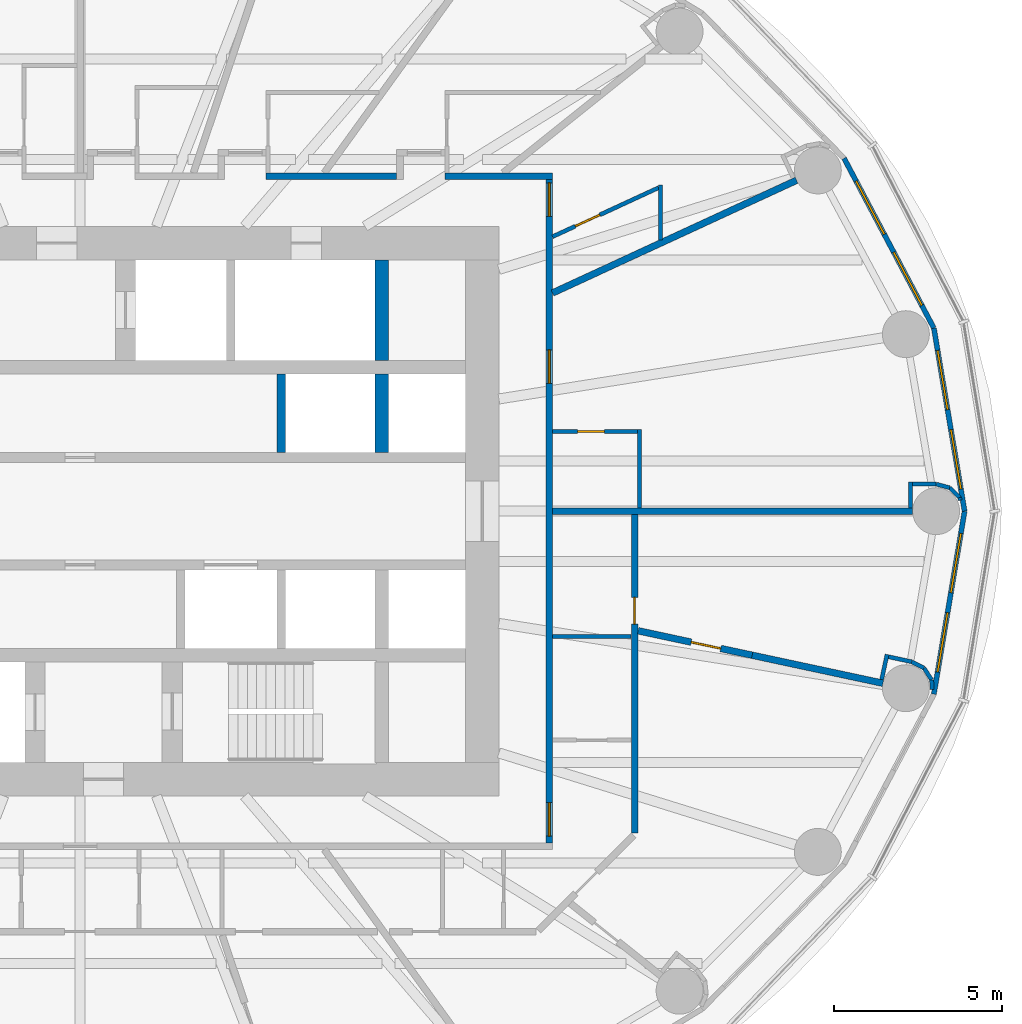
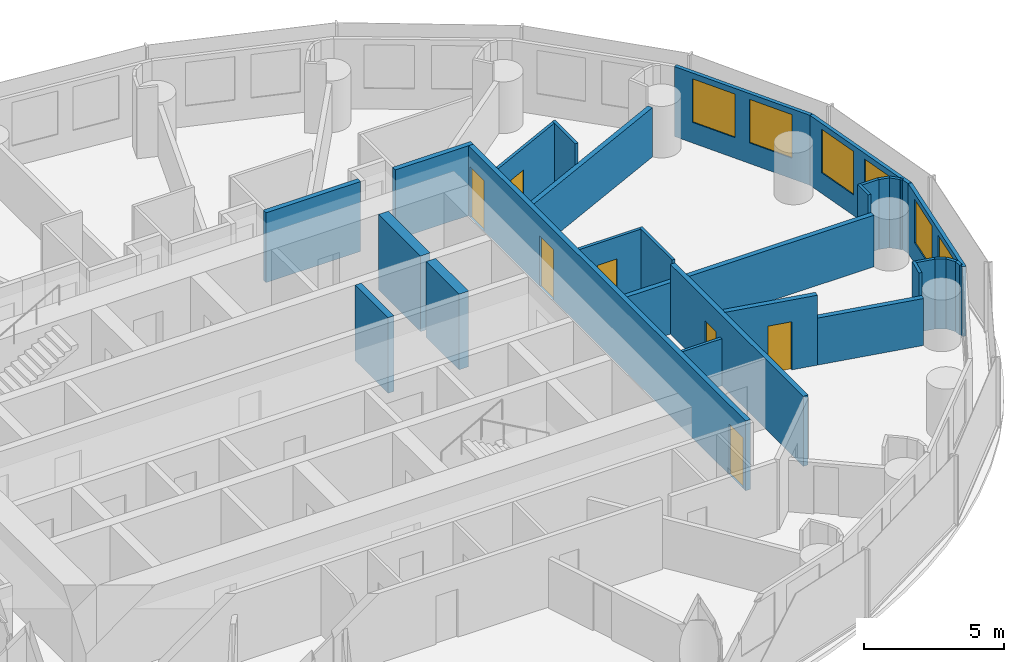
# One storey, part 10 of 14: 29 walls, 7 doors, 6 windows, 13 openings.
"""IFC4 building model written with IfcOpenShell, lengths in metres."""

from ifc_helpers import new_model, si_unit, direction, frame, frame_2d, origin, place, context, subcontext, project, spatial, rectangle, extrude, material, layer, layer_set, type_object, element, fill, save


model = new_model("IFC4")

# Units and contexts
model_context = context("Model", 3, precision=1e-05, world=origin(), true_north=direction((0.0, 1.0)))
body_context = subcontext(model_context, "Body", "Model", "MODEL_VIEW")
ifc_project = project(units=[si_unit("LENGTHUNIT", "METRE"), si_unit("AREAUNIT", "SQUARE_METRE"), si_unit("VOLUMEUNIT", "CUBIC_METRE"), si_unit("PLANEANGLEUNIT", "RADIAN"), si_unit("MASSUNIT", "GRAM", prefix="KILO")], contexts=[model_context])

# Site, building, storey
site_placement = place(None, origin())
site = spatial("IfcSite", under=ifc_project, at=site_placement, CompositionType="ELEMENT")
building_placement = place(site_placement, origin())
building = spatial("IfcBuilding", under=site, at=building_placement, Name="Hankou Lantern Tower", CompositionType="ELEMENT")
storey_placement = place(building_placement, frame((0.0, 0.0, 90.300048828125)))
storey = spatial("IfcBuildingStorey", under=building, at=storey_placement, Name="L23", CompositionType="ELEMENT", Elevation=90.300048828125)

# Walls
ifc_material_1 = material(Name="Concrete C60", Category="concrete")
ifc_layer_1 = layer(ifc_material_1, 0.39990234375)
ifc_layer_set_1 = layer_set([ifc_layer_1], Name="Concrete C60")
wall_type_1 = type_object("IfcWallType", Name="CW4 CORE CROSS WALL 400", PredefinedType="SHEAR", material=ifc_layer_set_1)
wall_1_placement = place(storey_placement, frame((9.0, 4.5, 0.0), z_axis=(0.0, 0.0, 1.0), x_axis=(0.0, 1.0, 0.0)))
element("IfcWall", 1, at=wall_1_placement, inside=storey, type_object=wall_type_1, Name="Core strip wall L23", PredefinedType="SHEAR", context=body_context, shape_type="SweptSolid", body=[
    extrude(rectangle(XDim=3.0, YDim=0.39990234375, at=frame_2d((1.5, 0.0))), origin(), (0.0, 0.0, 1.0), 3.300048828125),
])
wall_2_placement = place(storey_placement, frame((9.0, 1.75, 0.0), z_axis=(0.0, 0.0, 1.0), x_axis=(0.0, 1.0, 0.0)))
element("IfcWall", 2, at=wall_2_placement, inside=storey, type_object=wall_type_1, Name="Core strip wall L23", PredefinedType="SHEAR", context=body_context, shape_type="SweptSolid", body=[
    extrude(rectangle(XDim=2.35009765625, YDim=0.39990234375, at=frame_2d((1.175048828125, 0.0))), origin(), (0.0, 0.0, 1.0), 3.300048828125),
])

# Wall, openings, windows
ifc_material_2 = material(Name="Aluminium spandrel panel on steel studs", Category="steel")
ifc_layer_2 = layer(ifc_material_2, 0.14990234375)
ifc_layer_set_2 = layer_set([ifc_layer_2], Name="Aluminium spandrel panel on steel studs")
wall_type_2 = type_object("IfcWallType", Name="EW1 INNER SKIN WALL 150", PredefinedType="ELEMENTEDWALL", material=ifc_layer_set_2)
wall_3_placement = place(storey_placement, frame((26.39990234375, 0.0, 0.0), z_axis=(0.0, 0.0, 1.0), x_axis=(-0.165642551694, 0.986185857264, 0.0)))
wall_3 = element("IfcWall", 3, at=wall_3_placement, inside=storey, type_object=wall_type_2, Name="Inner skin R01-R02 L23", PredefinedType="ELEMENTEDWALL", context=body_context, shape_type="SweptSolid", body=[
    extrude(rectangle(XDim=5.538818359375, YDim=0.14990234375, at=frame_2d((2.76953125, 0.0))), origin(), (0.0, 0.0, 1.0), 3.050048828125),
])
opening_1_placement = place(wall_3_placement, frame((0.66943359375, 0.0, 0.89990234375)))
opening_1 = element("IfcOpeningElement", 4, at=opening_1_placement, cuts=wall_3, Name="Opening W1", PredefinedType="OPENING", context=body_context, shape_type="SweptSolid", body=[
    extrude(rectangle(XDim=1.800048828125, YDim=1.89990234375, at=frame_2d((0.89990234375, 0.949951171875))), frame((0.0, 0.0849609375, 0.0), z_axis=(0.0, -1.0, 0.0), x_axis=(1.0, 0.0, 0.0)), (0.0, 0.0, 1.0), 0.169921875),
])
opening_2_placement = place(wall_3_placement, frame((3.069580078125, 0.0, 0.89990234375)))
opening_2 = element("IfcOpeningElement", 5, at=opening_2_placement, cuts=wall_3, Name="Opening W1", PredefinedType="OPENING", context=body_context, shape_type="SweptSolid", body=[
    extrude(rectangle(XDim=1.800048828125, YDim=1.89990234375, at=frame_2d((0.89990234375, 0.949951171875))), frame((0.0, 0.0849609375, 0.0), z_axis=(0.0, -1.0, 0.0), x_axis=(1.0, 0.0, 0.0)), (0.0, 0.0, 1.0), 0.169921875),
])
ifc_material_3 = material(Name="Aluminium framed double glazed window", Category="aluminium")
window_type = type_object("IfcWindowType", Name="W1 GUEST ROOM WINDOW 1800X1900", PartitioningType="DOUBLE_PANEL_VERTICAL", PredefinedType="WINDOW", material=ifc_material_3)
window_1_placement = place(opening_1_placement, origin())
window_1 = element("IfcWindow", 6, at=window_1_placement, inside=storey, type_object=window_type, Name="Window R01.1 L23", OverallHeight=1.89990234375, OverallWidth=1.800048828125, PartitioningType="SINGLE_PANEL", PredefinedType="WINDOW", context=body_context, shape_type="SweptSolid", body=[
    extrude(rectangle(XDim=1.800048828125, YDim=1.89990234375, at=frame_2d((0.89990234375, 0.949951171875))), frame((0.0, 0.030029296875, 0.0), z_axis=(0.0, -1.0, 0.0), x_axis=(1.0, 0.0, 0.0)), (0.0, 0.0, 1.0), 0.06005859375),
])
fill(opening_1, window_1)
window_2_placement = place(opening_2_placement, origin())
window_2 = element("IfcWindow", 7, at=window_2_placement, inside=storey, type_object=window_type, Name="Window R01.2 L23", OverallHeight=1.89990234375, OverallWidth=1.800048828125, PartitioningType="SINGLE_PANEL", PredefinedType="WINDOW", context=body_context, shape_type="SweptSolid", body=[
    extrude(rectangle(XDim=1.800048828125, YDim=1.89990234375, at=frame_2d((0.89990234375, 0.949951171875))), frame((0.0, 0.030029296875, 0.0), z_axis=(0.0, -1.0, 0.0), x_axis=(1.0, 0.0, 0.0)), (0.0, 0.0, 1.0), 0.06005859375),
])
fill(opening_2, window_2)

wall_4_placement = place(storey_placement, frame((25.482421875, 5.46240234375, 0.0), z_axis=(0.0, 0.0, 1.0), x_axis=(-0.467296867008, 0.884100468321, 0.0)))
wall_4 = element("IfcWall", 8, at=wall_4_placement, inside=storey, type_object=wall_type_2, Name="Inner skin R02-R03 L23", PredefinedType="ELEMENTEDWALL", context=body_context, shape_type="SweptSolid", body=[
    extrude(rectangle(XDim=5.734375, YDim=0.14990234375, at=frame_2d((2.8671875, 0.0))), origin(), (0.0, 0.0, 1.0), 3.050048828125),
])
opening_3_placement = place(wall_4_placement, frame((0.76708984375, 0.0, 0.89990234375)))
opening_3 = element("IfcOpeningElement", 9, at=opening_3_placement, cuts=wall_4, Name="Opening W1", PredefinedType="OPENING", context=body_context, shape_type="SweptSolid", body=[
    extrude(rectangle(XDim=1.800048828125, YDim=1.89990234375, at=frame_2d((0.89990234375, 0.949951171875))), frame((0.0, 0.0849609375, 0.0), z_axis=(0.0, -1.0, 0.0), x_axis=(1.0, 0.0, 0.0)), (0.0, 0.0, 1.0), 0.169921875),
])
opening_4_placement = place(wall_4_placement, frame((3.167236328125, 0.0, 0.89990234375)))
opening_4 = element("IfcOpeningElement", 10, at=opening_4_placement, cuts=wall_4, Name="Opening W1", PredefinedType="OPENING", context=body_context, shape_type="SweptSolid", body=[
    extrude(rectangle(XDim=1.800048828125, YDim=1.89990234375, at=frame_2d((0.89990234375, 0.949951171875))), frame((0.0, 0.0849609375, 0.0), z_axis=(0.0, -1.0, 0.0), x_axis=(1.0, 0.0, 0.0)), (0.0, 0.0, 1.0), 0.169921875),
])
window_3_placement = place(opening_3_placement, origin())
window_3 = element("IfcWindow", 11, at=window_3_placement, inside=storey, type_object=window_type, Name="Window R02.1 L23", OverallHeight=1.89990234375, OverallWidth=1.800048828125, PartitioningType="SINGLE_PANEL", PredefinedType="WINDOW", context=body_context, shape_type="SweptSolid", body=[
    extrude(rectangle(XDim=1.800048828125, YDim=1.89990234375, at=frame_2d((0.89990234375, 0.949951171875))), frame((0.0, 0.030029296875, 0.0), z_axis=(0.0, -1.0, 0.0), x_axis=(1.0, 0.0, 0.0)), (0.0, 0.0, 1.0), 0.06005859375),
])
fill(opening_3, window_3)
window_4_placement = place(opening_4_placement, origin())
window_4 = element("IfcWindow", 12, at=window_4_placement, inside=storey, type_object=window_type, Name="Window R02.2 L23", OverallHeight=1.89990234375, OverallWidth=1.800048828125, PartitioningType="SINGLE_PANEL", PredefinedType="WINDOW", context=body_context, shape_type="SweptSolid", body=[
    extrude(rectangle(XDim=1.800048828125, YDim=1.89990234375, at=frame_2d((0.89990234375, 0.949951171875))), frame((0.0, 0.030029296875, 0.0), z_axis=(0.0, -1.0, 0.0), x_axis=(1.0, 0.0, 0.0)), (0.0, 0.0, 1.0), 0.06005859375),
])
fill(opening_4, window_4)

wall_5_placement = place(storey_placement, frame((25.482421875, -5.46240234375, 0.0), z_axis=(0.0, 0.0, 1.0), x_axis=(0.165642551694, 0.986185857264, 0.0)))
wall_5 = element("IfcWall", 13, at=wall_5_placement, inside=storey, type_object=wall_type_2, Name="Inner skin R24-R01 L23", PredefinedType="ELEMENTEDWALL", context=body_context, shape_type="SweptSolid", body=[
    extrude(rectangle(XDim=5.538818359375, YDim=0.14990234375, at=frame_2d((2.76953125, 0.0))), origin(), (0.0, 0.0, 1.0), 3.050048828125),
])
opening_5_placement = place(wall_5_placement, frame((0.66943359375, 0.0, 0.89990234375)))
opening_5 = element("IfcOpeningElement", 14, at=opening_5_placement, cuts=wall_5, Name="Opening W1", PredefinedType="OPENING", context=body_context, shape_type="SweptSolid", body=[
    extrude(rectangle(XDim=1.800048828125, YDim=1.89990234375, at=frame_2d((0.89990234375, 0.949951171875))), frame((0.0, 0.0849609375, 0.0), z_axis=(0.0, -1.0, 0.0), x_axis=(1.0, 0.0, 0.0)), (0.0, 0.0, 1.0), 0.169921875),
])
opening_6_placement = place(wall_5_placement, frame((3.069580078125, 0.0, 0.89990234375)))
opening_6 = element("IfcOpeningElement", 15, at=opening_6_placement, cuts=wall_5, Name="Opening W1", PredefinedType="OPENING", context=body_context, shape_type="SweptSolid", body=[
    extrude(rectangle(XDim=1.800048828125, YDim=1.89990234375, at=frame_2d((0.89990234375, 0.949951171875))), frame((0.0, 0.0849609375, 0.0), z_axis=(0.0, -1.0, 0.0), x_axis=(1.0, 0.0, 0.0)), (0.0, 0.0, 1.0), 0.169921875),
])
window_5_placement = place(opening_5_placement, origin())
window_5 = element("IfcWindow", 16, at=window_5_placement, inside=storey, type_object=window_type, Name="Window R24.1 L23", OverallHeight=1.89990234375, OverallWidth=1.800048828125, PartitioningType="SINGLE_PANEL", PredefinedType="WINDOW", context=body_context, shape_type="SweptSolid", body=[
    extrude(rectangle(XDim=1.800048828125, YDim=1.89990234375, at=frame_2d((0.89990234375, 0.949951171875))), frame((0.0, 0.030029296875, 0.0), z_axis=(0.0, -1.0, 0.0), x_axis=(1.0, 0.0, 0.0)), (0.0, 0.0, 1.0), 0.06005859375),
])
fill(opening_5, window_5)
window_6_placement = place(opening_6_placement, origin())
window_6 = element("IfcWindow", 17, at=window_6_placement, inside=storey, type_object=window_type, Name="Window R24.2 L23", OverallHeight=1.89990234375, OverallWidth=1.800048828125, PartitioningType="SINGLE_PANEL", PredefinedType="WINDOW", context=body_context, shape_type="SweptSolid", body=[
    extrude(rectangle(XDim=1.800048828125, YDim=1.89990234375, at=frame_2d((0.89990234375, 0.949951171875))), frame((0.0, 0.030029296875, 0.0), z_axis=(0.0, -1.0, 0.0), x_axis=(1.0, 0.0, 0.0)), (0.0, 0.0, 1.0), 0.06005859375),
])
fill(opening_6, window_6)

# Walls
ifc_material_4 = material(Name="Masonry lightweight concrete block", Category="masonry")
ifc_layer_3 = layer(ifc_material_4, 0.199951171875)
ifc_layer_set_3 = layer_set([ifc_layer_3], Name="Masonry lightweight concrete block")
wall_type_3 = type_object("IfcWallType", Name="IW1 GUEST ROOM PARTY WALL 200", PredefinedType="PARTITIONING", material=ifc_layer_set_3)
wall_6_placement = place(storey_placement, frame((14.10009765625, 0.0, 0.0), z_axis=(0.0, 0.0, 1.0), x_axis=(1.0, 0.0, 0.0)))
element("IfcWall", 18, at=wall_6_placement, inside=storey, type_object=wall_type_3, Name="Party wall R01", PredefinedType="PARTITIONING", context=body_context, shape_type="SweptSolid", body=[
    extrude(rectangle(XDim=10.75, YDim=0.199951171875, at=frame_2d((5.375, 0.0))), origin(), (0.0, 0.0, 1.0), 2.25),
])
wall_7_placement = place(storey_placement, frame((14.10009765625, 6.512451171875, 0.0), z_axis=(0.0, 0.0, 1.0), x_axis=(0.907832871056, 0.419332181247, 0.0)))
element("IfcWall", 19, at=wall_7_placement, inside=storey, type_object=wall_type_3, Name="Party wall R03", PredefinedType="PARTITIONING", context=body_context, shape_type="SweptSolid", body=[
    extrude(rectangle(XDim=8.02294921875, YDim=0.199951171875, at=frame_2d((4.011474609375, 0.0))), origin(), (0.0, 0.0, 1.0), 2.14990234375),
])

# Wall, openings, doors
ifc_material_5 = material(Name="Masonry lightweight concrete block", Category="masonry")
ifc_layer_4 = layer(ifc_material_5, 0.199951171875)
ifc_layer_set_4 = layer_set([ifc_layer_4], Name="Masonry lightweight concrete block")
wall_type_4 = type_object("IfcWallType", Name="IW2 CORRIDOR WALL 200", PredefinedType="PARTITIONING", material=ifc_layer_set_4)
wall_8_placement = place(storey_placement, frame((14.0, -9.89990234375, 0.0), z_axis=(0.0, 0.0, 1.0), x_axis=(0.0, 1.0, 0.0)))
wall_8 = element("IfcWall", 20, at=wall_8_placement, inside=storey, type_object=wall_type_4, Name="Corridor wall east", PredefinedType="PARTITIONING", context=body_context, shape_type="SweptSolid", body=[
    extrude(rectangle(XDim=19.7998046875, YDim=0.199951171875, at=frame_2d((9.89990234375, 0.0))), origin(), (0.0, 0.0, 1.0), 3.050048828125),
])
opening_7_placement = place(wall_8_placement, frame((0.20361328125, 0.0, 0.0)))
opening_7 = element("IfcOpeningElement", 21, at=opening_7_placement, cuts=wall_8, Name="Opening D2", PredefinedType="OPENING", context=body_context, shape_type="SweptSolid", body=[
    extrude(rectangle(XDim=1.0, YDim=2.199951171875, at=frame_2d((0.5, 1.10009765625))), frame((0.0, 0.10986328125, 0.0), z_axis=(0.0, -1.0, 0.0), x_axis=(1.0, 0.0, 0.0)), (0.0, 0.0, 1.0), 0.219970703125),
])
opening_8_placement = place(wall_8_placement, frame((13.715087890625, 0.0, 0.0)))
opening_8 = element("IfcOpeningElement", 22, at=opening_8_placement, cuts=wall_8, Name="Opening D2", PredefinedType="OPENING", context=body_context, shape_type="SweptSolid", body=[
    extrude(rectangle(XDim=1.0, YDim=2.199951171875, at=frame_2d((0.5, 1.10009765625))), frame((0.0, 0.10986328125, 0.0), z_axis=(0.0, -1.0, 0.0), x_axis=(1.0, 0.0, 0.0)), (0.0, 0.0, 1.0), 0.219970703125),
])
opening_9_placement = place(wall_8_placement, frame((18.697509765625, 0.0, 0.0)))
opening_9 = element("IfcOpeningElement", 23, at=opening_9_placement, cuts=wall_8, Name="Opening D1", PredefinedType="OPENING", context=body_context, shape_type="SweptSolid", body=[
    extrude(rectangle(XDim=1.0, YDim=2.199951171875, at=frame_2d((0.5, 1.10009765625))), frame((0.0, 0.10986328125, 0.0), z_axis=(0.0, -1.0, 0.0), x_axis=(1.0, 0.0, 0.0)), (0.0, 0.0, 1.0), 0.219970703125),
])
ifc_material_6 = material(Name="Steel door leaf", Category="steel")
door_type_1 = type_object("IfcDoorType", Name="D1 GUEST ROOM DOOR 1000X2200", OperationType="SINGLE_SWING_LEFT", PredefinedType="DOOR", material=ifc_material_6)
door_1_placement = place(opening_9_placement, origin())
door_1 = element("IfcDoor", 24, at=door_1_placement, inside=storey, type_object=door_type_1, Name="Guest room door 2309", OperationType="SINGLE_SWING_RIGHT", OverallHeight=2.199951171875, OverallWidth=1.0, PredefinedType="DOOR", context=body_context, shape_type="SweptSolid", body=[
    extrude(rectangle(XDim=1.0, YDim=2.199951171875, at=frame_2d((0.5, 1.10009765625))), frame((0.0, 0.02490234375, 0.0), z_axis=(0.0, -1.0, 0.0), x_axis=(1.0, 0.0, 0.0)), (0.0, 0.0, 1.0), 0.050048828125),
])
fill(opening_9, door_1)
ifc_material_7 = material(Name="Steel door leaf", Category="steel")
door_type_2 = type_object("IfcDoorType", Name="D2 SUITE DOOR 1000X2200", OperationType="SINGLE_SWING_LEFT", PredefinedType="DOOR", material=ifc_material_7)
door_2_placement = place(opening_7_placement, origin())
door_2 = element("IfcDoor", 25, at=door_2_placement, inside=storey, type_object=door_type_2, Name="Suite door 2307", OperationType="SINGLE_SWING_LEFT", OverallHeight=2.199951171875, OverallWidth=1.0, PredefinedType="DOOR", context=body_context, shape_type="SweptSolid", body=[
    extrude(rectangle(XDim=1.0, YDim=2.199951171875, at=frame_2d((0.5, 1.10009765625))), frame((0.0, 0.02490234375, 0.0), z_axis=(0.0, -1.0, 0.0), x_axis=(1.0, 0.0, 0.0)), (0.0, 0.0, 1.0), 0.050048828125),
])
fill(opening_7, door_2)
door_3_placement = place(opening_8_placement, origin())
door_3 = element("IfcDoor", 26, at=door_3_placement, inside=storey, type_object=door_type_2, Name="Suite door 2308", OperationType="SINGLE_SWING_RIGHT", OverallHeight=2.199951171875, OverallWidth=1.0, PredefinedType="DOOR", context=body_context, shape_type="SweptSolid", body=[
    extrude(rectangle(XDim=1.0, YDim=2.199951171875, at=frame_2d((0.5, 1.10009765625))), frame((0.0, 0.02490234375, 0.0), z_axis=(0.0, -1.0, 0.0), x_axis=(1.0, 0.0, 0.0)), (0.0, 0.0, 1.0), 0.050048828125),
])
fill(opening_8, door_3)

# Walls
wall_9_placement = place(storey_placement, frame((5.549072265625, 10.0, 0.0), z_axis=(0.0, 0.0, 1.0), x_axis=(1.0, 0.0, 0.0)))
element("IfcWall", 27, at=wall_9_placement, inside=storey, type_object=wall_type_4, Name="Corridor wall north", PredefinedType="PARTITIONING", context=body_context, shape_type="SweptSolid", body=[
    extrude(rectangle(XDim=3.89599609375, YDim=0.199951171875, at=frame_2d((1.947998046875, 0.0))), origin(), (0.0, 0.0, 1.0), 3.050048828125),
])
wall_10_placement = place(storey_placement, frame((10.885009765625, 10.0, 0.0), z_axis=(0.0, 0.0, 1.0), x_axis=(1.0, 0.0, 0.0)))
element("IfcWall", 28, at=wall_10_placement, inside=storey, type_object=wall_type_4, Name="Corridor wall north", PredefinedType="PARTITIONING", context=body_context, shape_type="SweptSolid", body=[
    extrude(rectangle(XDim=3.215087890625, YDim=0.199951171875, at=frame_2d((1.607421875, 0.0))), origin(), (0.0, 0.0, 1.0), 3.050048828125),
])
ifc_material_8 = material(Name="Masonry lightweight concrete block", Category="masonry")
ifc_layer_5 = layer(ifc_material_8, 0.1201171875)
ifc_layer_set_5 = layer_set([ifc_layer_5], Name="Masonry lightweight concrete block")
wall_type_5 = type_object("IfcWallType", Name="IW3 BATHROOM WALL 120", PredefinedType="PARTITIONING", material=ifc_layer_set_5)
wall_11_placement = place(storey_placement, frame((14.10009765625, -3.739501953125, 0.0), z_axis=(0.0, 0.0, 1.0), x_axis=(1.0, 0.0, 0.0)))
element("IfcWall", 29, at=wall_11_placement, inside=storey, type_object=wall_type_5, Name="Box wall 2307 4", PredefinedType="PARTITIONING", context=body_context, shape_type="SweptSolid", body=[
    extrude(rectangle(XDim=2.349853515625, YDim=0.1201171875, at=frame_2d((1.1748046875, 0.0))), origin(), (0.0, 0.0, 1.0), 2.050048828125),
])
wall_12_placement = place(storey_placement, frame((16.699951171875, 0.10009765625, 0.0), z_axis=(0.0, 0.0, 1.0), x_axis=(0.0, 1.0, 0.0)))
element("IfcWall", 30, at=wall_12_placement, inside=storey, type_object=wall_type_5, Name="Box wall 2308 1", PredefinedType="PARTITIONING", context=body_context, shape_type="SweptSolid", body=[
    extrude(rectangle(XDim=2.33984375, YDim=0.1201171875, at=frame_2d((1.169921875, 0.0))), origin(), (0.0, 0.0, 1.0), 3.050048828125),
])

# Wall, opening, door
wall_13_placement = place(storey_placement, frame((14.10009765625, 2.3798828125, 0.0), z_axis=(0.0, 0.0, 1.0), x_axis=(1.0, 0.0, 0.0)))
wall_13 = element("IfcWall", 31, at=wall_13_placement, inside=storey, type_object=wall_type_5, Name="Box wall 2308 1", PredefinedType="PARTITIONING", context=body_context, shape_type="SweptSolid", body=[
    extrude(rectangle(XDim=2.539794921875, YDim=0.1201171875, at=frame_2d((1.27001953125, 0.0))), origin(), (0.0, 0.0, 1.0), 3.050048828125),
])
opening_10_placement = place(wall_13_placement, frame((0.75, 0.0, 0.0)))
opening_10 = element("IfcOpeningElement", 32, at=opening_10_placement, cuts=wall_13, Name="Opening D3", PredefinedType="OPENING", context=body_context, shape_type="SweptSolid", body=[
    extrude(rectangle(XDim=0.800048828125, YDim=2.10009765625, at=frame_2d((0.39990234375, 1.050048828125))), frame((0.0, 0.070068359375, 0.0), z_axis=(0.0, -1.0, 0.0), x_axis=(1.0, 0.0, 0.0)), (0.0, 0.0, 1.0), 0.14013671875),
])
ifc_material_9 = material(Name="Timber door leaf", Category="wood")
door_type_3 = type_object("IfcDoorType", Name="D3 BATHROOM DOOR 800X2100", OperationType="SINGLE_SWING_LEFT", PredefinedType="DOOR", material=ifc_material_9)
door_4_placement = place(opening_10_placement, origin())
door_4 = element("IfcDoor", 33, at=door_4_placement, inside=storey, type_object=door_type_3, Name="Junior suite 2308 bathroom door", OperationType="SINGLE_SWING_LEFT", OverallHeight=2.10009765625, OverallWidth=0.800048828125, PredefinedType="DOOR", context=body_context, shape_type="SweptSolid", body=[
    extrude(rectangle(XDim=0.800048828125, YDim=2.10009765625, at=frame_2d((0.39990234375, 1.050048828125))), frame((0.0, 0.02490234375, 0.0), z_axis=(0.0, -1.0, 0.0), x_axis=(1.0, 0.0, 0.0)), (0.0, 0.0, 1.0), 0.050048828125),
])
fill(opening_10, door_4)

# Wall
wall_14_placement = place(storey_placement, frame((17.32275390625, 8.10107421875, 0.0), z_axis=(0.0, 0.0, 1.0), x_axis=(0.0, 1.0, 0.0)))
element("IfcWall", 34, at=wall_14_placement, inside=storey, type_object=wall_type_5, Name="Box wall 2309 1", PredefinedType="PARTITIONING", context=body_context, shape_type="SweptSolid", body=[
    extrude(rectangle(XDim=1.639892578125, YDim=0.1201171875, at=frame_2d((0.81982421875, 0.0))), origin(), (0.0, 0.0, 1.0), 3.050048828125),
])

# Wall, opening, door
wall_15_placement = place(storey_placement, frame((14.10009765625, 8.192626953125, 0.0), z_axis=(0.0, 0.0, 1.0), x_axis=(0.907836493557, 0.419324338628, 0.0)))
wall_15 = element("IfcWall", 35, at=wall_15_placement, inside=storey, type_object=wall_type_5, Name="Box wall 2309 1", PredefinedType="PARTITIONING", context=body_context, shape_type="SweptSolid", body=[
    extrude(rectangle(XDim=3.48974609375, YDim=0.1201171875, at=frame_2d((1.744873046875, 0.0))), origin(), (0.0, 0.0, 1.0), 3.050048828125),
])
opening_11_placement = place(wall_15_placement, frame((0.75, 0.0, 0.0)))
opening_11 = element("IfcOpeningElement", 36, at=opening_11_placement, cuts=wall_15, Name="Opening D3", PredefinedType="OPENING", context=body_context, shape_type="SweptSolid", body=[
    extrude(rectangle(XDim=0.800048828125, YDim=2.10009765625, at=frame_2d((0.39990234375, 1.050048828125))), frame((0.0, 0.070068359375, 0.0), z_axis=(0.0, -1.0, 0.0), x_axis=(1.0, 0.0, 0.0)), (0.0, 0.0, 1.0), 0.14013671875),
])
door_5_placement = place(opening_11_placement, origin())
door_5 = element("IfcDoor", 37, at=door_5_placement, inside=storey, type_object=door_type_3, Name="En-suite bathroom 2309 door", OperationType="SINGLE_SWING_LEFT", OverallHeight=2.10009765625, OverallWidth=0.800048828125, PredefinedType="DOOR", context=body_context, shape_type="SweptSolid", body=[
    extrude(rectangle(XDim=0.800048828125, YDim=2.10009765625, at=frame_2d((0.39990234375, 1.050048828125))), frame((0.0, 0.02490234375, 0.0), z_axis=(0.0, -1.0, 0.0), x_axis=(1.0, 0.0, 0.0)), (0.0, 0.0, 1.0), 0.050048828125),
])
fill(opening_11, door_5)

# Walls
ifc_material_10 = material(Name="Masonry lightweight concrete block", Category="masonry")
ifc_layer_6 = layer(ifc_material_10, 0.1201171875)
ifc_layer_set_6 = layer_set([ifc_layer_6], Name="Masonry lightweight concrete block")
wall_type_6 = type_object("IfcWallType", Name="IW4 PARTITION 120", PredefinedType="PARTITIONING", material=ifc_layer_set_6)
wall_16_placement = place(storey_placement, frame((24.7900390625, 0.10009765625, 0.0), z_axis=(0.0, 0.0, 1.0), x_axis=(0.0, 1.0, 0.0)))
element("IfcWall", 38, at=wall_16_placement, inside=storey, type_object=wall_type_6, Name="Column casing R01 return", PredefinedType="PARTITIONING", context=body_context, shape_type="SweptSolid", body=[
    extrude(rectangle(XDim=0.767333984375, YDim=0.1201171875, at=frame_2d((0.3837890625, 0.0))), origin(), (0.0, 0.0, 1.0), 3.050048828125),
])
wall_17_placement = place(storey_placement, frame((24.85009765625, 0.8076171875, 0.0), z_axis=(0.0, 0.0, 1.0), x_axis=(1.0, 0.0, 0.0)))
element("IfcWall", 39, at=wall_17_placement, inside=storey, type_object=wall_type_6, Name="Column casing R01", PredefinedType="PARTITIONING", context=body_context, shape_type="SweptSolid", body=[
    extrude(rectangle(XDim=0.699951171875, YDim=0.1201171875, at=frame_2d((0.35009765625, 0.0))), origin(), (0.0, 0.0, 1.0), 3.050048828125),
])
wall_18_placement = place(storey_placement, frame((25.550048828125, 0.8076171875, 0.0), z_axis=(0.0, 0.0, 1.0), x_axis=(0.965807183573, -0.2592614205, 0.0)))
element("IfcWall", 40, at=wall_18_placement, inside=storey, type_object=wall_type_6, Name="Column casing R01", PredefinedType="PARTITIONING", context=body_context, shape_type="SweptSolid", body=[
    extrude(rectangle(XDim=0.418212890625, YDim=0.1201171875, at=frame_2d((0.208984375, 0.0))), origin(), (0.0, 0.0, 1.0), 3.050048828125),
])
wall_19_placement = place(storey_placement, frame((25.953857421875, 0.69921875, 0.0), z_axis=(0.0, 0.0, 1.0), x_axis=(0.707106781187, -0.707106781187, 0.0)))
element("IfcWall", 41, at=wall_19_placement, inside=storey, type_object=wall_type_6, Name="Column casing R01", PredefinedType="PARTITIONING", context=body_context, shape_type="SweptSolid", body=[
    extrude(rectangle(XDim=0.417724609375, YDim=0.1201171875, at=frame_2d((0.208984375, 0.0))), origin(), (0.0, 0.0, 1.0), 3.050048828125),
])
wall_20_placement = place(storey_placement, frame((26.249267578125, 0.40380859375, 0.0), z_axis=(0.0, 0.0, 1.0), x_axis=(0.259754282609, -0.965674744759, 0.0)))
element("IfcWall", 42, at=wall_20_placement, inside=storey, type_object=wall_type_6, Name="Column casing R01", PredefinedType="PARTITIONING", context=body_context, shape_type="SweptSolid", body=[
    extrude(rectangle(XDim=0.079833984375, YDim=0.1201171875, at=frame_2d((0.0400390625, 0.0))), origin(), (0.0, 0.0, 1.0), 3.050048828125),
])
wall_21_placement = place(storey_placement, frame((23.9248046875, -5.026123046875, 0.0), z_axis=(0.0, 0.0, 1.0), x_axis=(0.209681192172, 0.977769808109, 0.0)))
element("IfcWall", 43, at=wall_21_placement, inside=storey, type_object=wall_type_6, Name="Column casing R24 return", PredefinedType="PARTITIONING", context=body_context, shape_type="SweptSolid", body=[
    extrude(rectangle(XDim=0.767333984375, YDim=0.1201171875, at=frame_2d((0.3837890625, 0.0))), origin(), (0.0, 0.0, 1.0), 3.050048828125),
])
wall_22_placement = place(storey_placement, frame((24.1318359375, -4.346923828125, 0.0), z_axis=(0.0, 0.0, 1.0), x_axis=(0.977776882509, -0.209648200638, 0.0)))
element("IfcWall", 44, at=wall_22_placement, inside=storey, type_object=wall_type_6, Name="Column casing R24", PredefinedType="PARTITIONING", context=body_context, shape_type="SweptSolid", body=[
    extrude(rectangle(XDim=0.699951171875, YDim=0.1201171875, at=frame_2d((0.35009765625, 0.0))), origin(), (0.0, 0.0, 1.0), 3.050048828125),
])
for number, where, z_axis, x_axis, name in (
    (45, (24.816162109375, -4.49365234375, 0.0), (0.0, 0.0, 1.0), (0.890303208847, -0.455368198623, 0.0), "Column casing R24"),
    (46, (25.1884765625, -4.68408203125, 0.0), (0.0, 0.0, 1.0), (0.543057568894, -0.839695466742, 0.0), "Column casing R24"),
):
    element("IfcWall", number, at=place(storey_placement, frame(where, z_axis=z_axis, x_axis=x_axis)), inside=storey, type_object=wall_type_6, Name=name, PredefinedType="PARTITIONING", context=body_context, shape_type="SweptSolid", body=[
        extrude(rectangle(XDim=0.418212890625, YDim=0.1201171875, at=frame_2d((0.208984375, 0.0))), origin(), (0.0, 0.0, 1.0), 3.050048828125),
    ])
wall_23_placement = place(storey_placement, frame((25.41552734375, -5.03515625, 0.0), z_axis=(0.0, 0.0, 1.0), x_axis=(0.050406329159, -0.998728793007, 0.0)))
element("IfcWall", 47, at=wall_23_placement, inside=storey, type_object=wall_type_6, Name="Column casing R24", PredefinedType="PARTITIONING", context=body_context, shape_type="SweptSolid", body=[
    extrude(rectangle(XDim=0.28564453125, YDim=0.1201171875, at=frame_2d((0.142822265625, 0.0))), origin(), (0.0, 0.0, 1.0), 3.050048828125),
])

# Wall, opening, door
ifc_material_11 = material(Name="Masonry lightweight concrete block", Category="masonry")
ifc_layer_7 = layer(ifc_material_11, 0.199951171875)
ifc_layer_set_7 = layer_set([ifc_layer_7], Name="Masonry lightweight concrete block")
wall_type_7 = type_object("IfcWallType", Name="IW6 SUITE PARTITION 200", PredefinedType="PARTITIONING", material=ifc_layer_set_7)
wall_24_placement = place(storey_placement, frame((16.550048828125, -9.608642578125, 0.0), z_axis=(0.0, 0.0, 1.0), x_axis=(0.0, 1.0, 0.0)))
wall_24 = element("IfcWall", 48, at=wall_24_placement, inside=storey, type_object=wall_type_7, Name="Suite foyer wall 2307", PredefinedType="PARTITIONING", context=body_context, shape_type="SweptSolid", body=[
    extrude(rectangle(XDim=9.507568359375, YDim=0.199951171875, at=frame_2d((4.75390625, 0.0))), origin(), (0.0, 0.0, 1.0), 3.050048828125),
])
opening_12_placement = place(wall_24_placement, frame((6.23388671875, 0.0, 0.0)))
opening_12 = element("IfcOpeningElement", 49, at=opening_12_placement, cuts=wall_24, Name="Opening D3", PredefinedType="OPENING", context=body_context, shape_type="SweptSolid", body=[
    extrude(rectangle(XDim=0.800048828125, YDim=2.10009765625, at=frame_2d((0.39990234375, 1.050048828125))), frame((0.0, 0.10986328125, 0.0), z_axis=(0.0, -1.0, 0.0), x_axis=(1.0, 0.0, 0.0)), (0.0, 0.0, 1.0), 0.219970703125),
])
door_6_placement = place(opening_12_placement, origin())
door_6 = element("IfcDoor", 50, at=door_6_placement, inside=storey, type_object=door_type_3, Name="Family suite 2307 second bathroom door", OperationType="SINGLE_SWING_LEFT", OverallHeight=2.10009765625, OverallWidth=0.800048828125, PredefinedType="DOOR", context=body_context, shape_type="SweptSolid", body=[
    extrude(rectangle(XDim=0.800048828125, YDim=2.10009765625, at=frame_2d((0.39990234375, 1.050048828125))), frame((0.0, 0.02490234375, 0.0), z_axis=(0.0, -1.0, 0.0), x_axis=(1.0, 0.0, 0.0)), (0.0, 0.0, 1.0), 0.050048828125),
])
fill(opening_12, door_6)

wall_25_placement = place(storey_placement, frame((16.65478515625, -3.570068359375, 0.0), z_axis=(0.0, 0.0, 1.0), x_axis=(0.977788045219, -0.209596132183, 0.0)))
wall_25 = element("IfcWall", 51, at=wall_25_placement, inside=storey, type_object=wall_type_7, Name="Suite partition R24", PredefinedType="PARTITIONING", context=body_context, shape_type="SweptSolid", body=[
    extrude(rectangle(XDim=3.481689453125, YDim=0.199951171875, at=frame_2d((1.74072265625, 0.0))), origin(), (0.0, 0.0, 1.0), 3.050048828125),
])
opening_13_placement = place(wall_25_placement, frame((1.62060546875, 0.0, 0.0)))
opening_13 = element("IfcOpeningElement", 52, at=opening_13_placement, cuts=wall_25, Name="Opening D27", PredefinedType="OPENING", context=body_context, shape_type="SweptSolid", body=[
    extrude(rectangle(XDim=0.89990234375, YDim=2.10009765625, at=frame_2d((0.449951171875, 1.050048828125))), frame((0.0, 0.10986328125, 0.0), z_axis=(0.0, -1.0, 0.0), x_axis=(1.0, 0.0, 0.0)), (0.0, 0.0, 1.0), 0.219970703125),
])
ifc_material_12 = material(Name="Timber door leaf", Category="wood")
door_type_4 = type_object("IfcDoorType", Name="D27 INTERNAL DOOR 900X2100", OperationType="SINGLE_SWING_LEFT", PredefinedType="DOOR", material=ifc_material_12)
door_7_placement = place(opening_13_placement, origin())
door_7 = element("IfcDoor", 53, at=door_7_placement, inside=storey, type_object=door_type_4, Name="Family suite 2307 second bedroom door", OperationType="SINGLE_SWING_LEFT", OverallHeight=2.10009765625, OverallWidth=0.89990234375, PredefinedType="DOOR", context=body_context, shape_type="SweptSolid", body=[
    extrude(rectangle(XDim=0.89990234375, YDim=2.10009765625, at=frame_2d((0.449951171875, 1.050048828125))), frame((0.0, 0.02490234375, 0.0), z_axis=(0.0, -1.0, 0.0), x_axis=(1.0, 0.0, 0.0)), (0.0, 0.0, 1.0), 0.050048828125),
])
fill(opening_13, door_7)

# Walls
wall_26_placement = place(storey_placement, frame((20.05908203125, -4.2998046875, 0.0), z_axis=(0.0, 0.0, 1.0), x_axis=(0.977792568683, -0.209575028637, 0.0)))
element("IfcWall", 54, at=wall_26_placement, inside=storey, type_object=wall_type_7, Name="Suite partition R24", PredefinedType="PARTITIONING", context=body_context, shape_type="SweptSolid", body=[
    extrude(rectangle(XDim=3.9921875, YDim=0.199951171875, at=frame_2d((1.99609375, 0.0))), origin(), (0.0, 0.0, 1.0), 2.050048828125),
])
ifc_material_13 = material(Name="Masonry autoclaved aerated concrete block", Category="masonry")
ifc_layer_8 = layer(ifc_material_13, 0.25)
ifc_layer_set_8 = layer_set([ifc_layer_8], Name="Masonry autoclaved aerated concrete block")
wall_type_8 = type_object("IfcWallType", Name="SW1 SHAFT BLOCK WALL 250", PredefinedType="PARTITIONING", material=ifc_layer_set_8)
wall_27_placement = place(storey_placement, frame((6.0, 1.75, 0.0), z_axis=(0.0, 0.0, 1.0), x_axis=(0.0, 1.0, 0.0)))
element("IfcWall", 55, at=wall_27_placement, inside=storey, type_object=wall_type_8, Name="Lift shaft wall L23", PredefinedType="PARTITIONING", context=body_context, shape_type="SweptSolid", body=[
    extrude(rectangle(XDim=2.35009765625, YDim=0.25, at=frame_2d((1.175048828125, 0.0))), origin(), (0.0, 0.0, 1.0), 3.300048828125),
])

save(model, "model.ifc")
